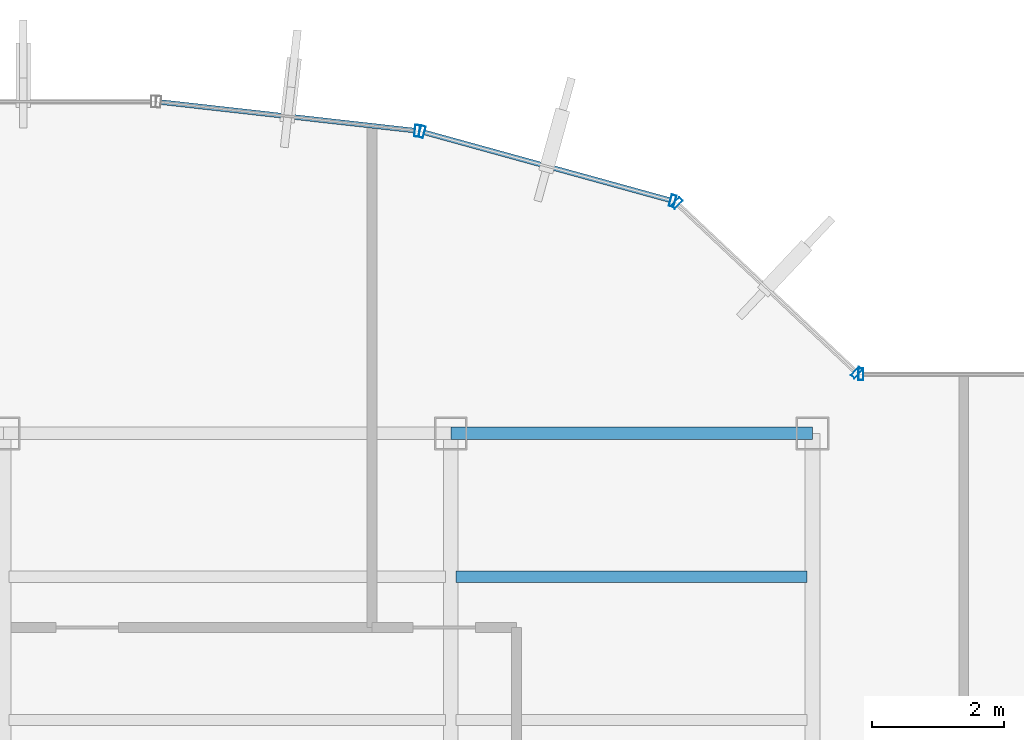
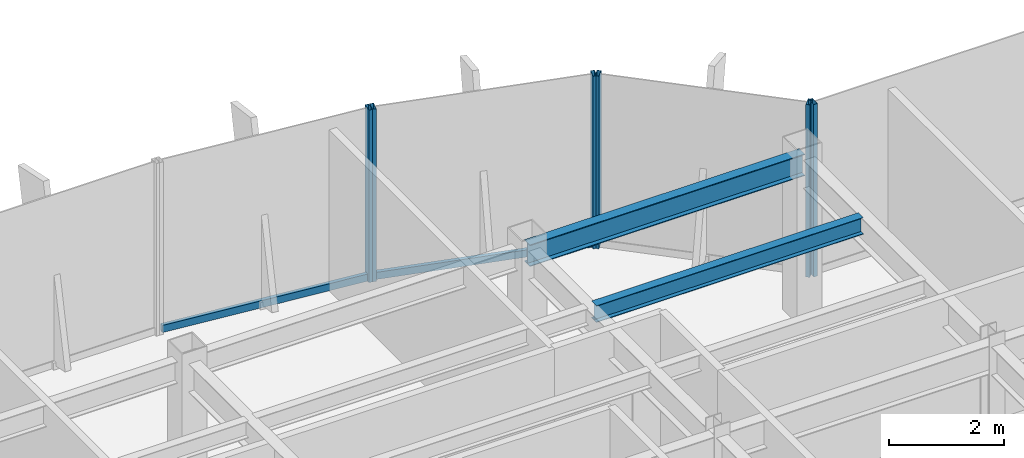
# One storey, part 14 of 22: 8 members, 2 beams, 4 elements without a shape of their own.
"""IFC4 building model written with IfcOpenShell, lengths in metres."""

import ifcopenshell
import ifcopenshell.guid

model = None  # the IFC model being written
_history = None  # IfcOwnerHistory: only IFC2X3 demands one
_inside = {}  # id of a spatial element -> (the spatial element, [elements in it])
_under = {}  # id of a project, library or spatial element -> (it, [spatial elements below it])
_declared = {}  # id of a project -> (the project, [libraries it declares])
_typed = {}  # id of a type object -> (the type object, [elements of that type])
_made_of = {}  # id of a material, layer set ... -> (it, [elements and type objects made of it])


def new_model(schema):
    """Start an empty IFC model of exactly this schema.

    Asked for "IFC4X3", IfcOpenShell would pick the latest addendum, in which some entities
    have other attributes; the version numbers below select the first issue.
    IFC2X3 requires an IfcOwnerHistory on every rooted entity: one is made here for all.
    """
    global model, _history
    if schema == "IFC4X3":
        model = ifcopenshell.file(schema_version=(4, 3, 0, 0))
    else:
        model = ifcopenshell.file(schema=schema)
    _inside.clear()
    _under.clear()
    _declared.clear()
    _typed.clear()
    _made_of.clear()
    _history = None
    if model.schema == "IFC2X3":
        org = make("IfcOrganization", Name="unknown")
        user = make(
            "IfcPersonAndOrganization",
            ThePerson=make("IfcPerson", FamilyName="unknown"),
            TheOrganization=org,
        )
        app = make(
            "IfcApplication",
            ApplicationDeveloper=org,
            Version="unknown",
            ApplicationFullName="unknown",
            ApplicationIdentifier="unknown",
        )
        _history = make(
            "IfcOwnerHistory",
            OwningUser=user,
            OwningApplication=app,
            ChangeAction="ADDED",
            CreationDate=0,
        )
    return model


def make(cls, **values):
    """One entity of the class cls with the attributes given. An attribute that is None is left unset."""
    return model.create_entity(
        cls, **{name: value for name, value in values.items() if value is not None}
    )


def rooted(cls, **values):
    """An entity with a GlobalId (a new one), such as an element, a storey or a relation."""
    return make(cls, GlobalId=ifcopenshell.guid.new(), OwnerHistory=_history, **values)


def si_unit(unit_type, name, prefix=None):
    """IfcSIUnit, for example si_unit("LENGTHUNIT", "METRE", prefix="MILLI")."""
    return make("IfcSIUnit", UnitType=unit_type, Prefix=prefix, Name=name)


def derived_unit(unit_type, elements):
    """IfcDerivedUnit: a product of units, each with its exponent."""
    return make(
        "IfcDerivedUnit",
        Elements=[
            make("IfcDerivedUnitElement", Unit=unit, Exponent=power)
            for unit, power in elements
        ],
        UnitType=unit_type,
    )


def assignment(units):
    """IfcUnitAssignment: the units of a project."""
    return None if units is None else make("IfcUnitAssignment", Units=units)


def point(xyz):
    """IfcCartesianPoint."""
    return None if xyz is None else make("IfcCartesianPoint", Coordinates=xyz)


def direction(xyz):
    """IfcDirection."""
    return None if xyz is None else make("IfcDirection", DirectionRatios=xyz)


def frame(location, z_axis=None, x_axis=None):
    """IfcAxis2Placement3D, a coordinate frame: its origin and axes. An axis left out is left unset."""
    return make(
        "IfcAxis2Placement3D",
        Location=point(location),
        Axis=direction(z_axis),
        RefDirection=direction(x_axis),
    )


def frame_2d(location, x_axis=None):
    """IfcAxis2Placement2D, a coordinate frame in the plane: its origin and x axis."""
    return make(
        "IfcAxis2Placement2D", Location=point(location), RefDirection=direction(x_axis)
    )


def origin():
    """The frame at (0, 0, 0) with its axes left unset."""
    return frame((0.0, 0.0, 0.0))


def origin_2d():
    """The frame at (0, 0) in the plane with its x axis left unset."""
    return frame_2d((0.0, 0.0))


def place(relative_to, where):
    """IfcLocalPlacement: puts the frame where relative to a parent placement (None: the world)."""
    return make(
        "IfcLocalPlacement", PlacementRelTo=relative_to, RelativePlacement=where
    )


def context(
    kind, dimensions, precision=None, world=None, true_north=None, identifier=None
):
    """IfcGeometricRepresentationContext, for example the 3D "Model" context."""
    return make(
        "IfcGeometricRepresentationContext",
        ContextIdentifier=identifier,
        ContextType=kind,
        CoordinateSpaceDimension=dimensions,
        Precision=precision,
        WorldCoordinateSystem=world,
        TrueNorth=true_north,
    )


def subcontext(parent, identifier, kind, view, scale=None):
    """IfcGeometricRepresentationSubContext, for example "Body" below "Model"."""
    return make(
        "IfcGeometricRepresentationSubContext",
        ContextIdentifier=identifier,
        ContextType=kind,
        ParentContext=parent,
        TargetScale=scale,
        TargetView=view,
    )


def project(units=None, contexts=None):
    """IfcProject with its units and contexts."""
    return rooted(
        "IfcProject",
        Name="project",
        RepresentationContexts=contexts,
        UnitsInContext=assignment(units),
    )


def spatial(cls, under=None, at=None, **own):
    """A site, building, storey or space (cls), placed at a placement, below another one or the project."""
    s = rooted(cls, ObjectPlacement=at, **own)
    if under is not None:
        _under.setdefault(under.id(), (under, []))[1].append(s)
    return s


def profile(cls, at=None, kind="AREA", **sizes):
    """A parametric profile (cls). Its sizes go by their IFC names, for example OverallWidth=200.0."""
    return make(cls, ProfileType=kind, Position=at, **sizes)


def hollow_rectangle(**sizes):
    """IfcRectangleHollowProfileDef."""
    return profile("IfcRectangleHollowProfileDef", **sizes)


def i_section(**sizes):
    """IfcIShapeProfileDef."""
    return profile("IfcIShapeProfileDef", **sizes)


def extrude(swept, where, along, depth):
    """IfcExtrudedAreaSolid: the profile swept, set in the frame where, extruded along a direction by depth."""
    return make(
        "IfcExtrudedAreaSolid",
        SweptArea=swept,
        Position=where,
        ExtrudedDirection=direction(along),
        Depth=depth,
    )


def shape(context_of_items, identifier, shape_type, items):
    """IfcShapeRepresentation: the items that make up one representation, for example the "Body"."""
    return make(
        "IfcShapeRepresentation",
        ContextOfItems=context_of_items,
        RepresentationIdentifier=identifier,
        RepresentationType=shape_type,
        Items=items,
    )


def source(mapping_origin, context_of_items, identifier, shape_type, items):
    """IfcRepresentationMap: a shape defined once, which mapped items show again and again."""
    return make(
        "IfcRepresentationMap",
        MappingOrigin=mapping_origin,
        MappedRepresentation=shape(context_of_items, identifier, shape_type, items),
    )


def transform(
    local_origin,
    x_axis=None,
    y_axis=None,
    z_axis=None,
    scale=None,
    scale2=None,
    scale3=None,
    uniform=True,
):
    """IfcCartesianTransformationOperator3D, or its non-uniform kind. x_axis, y_axis, z_axis: its Axis1, 2, 3."""
    if uniform:
        return make(
            "IfcCartesianTransformationOperator3D",
            Axis1=direction(x_axis),
            Axis2=direction(y_axis),
            LocalOrigin=point(local_origin),
            Scale=scale,
            Axis3=direction(z_axis),
        )
    return make(
        "IfcCartesianTransformationOperator3DnonUniform",
        Axis1=direction(x_axis),
        Axis2=direction(y_axis),
        LocalOrigin=point(local_origin),
        Scale=scale,
        Axis3=direction(z_axis),
        Scale2=scale2,
        Scale3=scale3,
    )


def mapped(mapping_source, mapping_target):
    """IfcMappedItem: shows the shape of a source again, moved by a transform."""
    return make(
        "IfcMappedItem", MappingSource=mapping_source, MappingTarget=mapping_target
    )


def material(Name=None, Category=None):
    """IfcMaterial."""
    return make("IfcMaterial", Name=Name, Category=Category)


def material_profile(
    of_material, cross_section, Name=None, Category=None, Priority=None
):
    """IfcMaterialProfile: a cross section and its material."""
    return make(
        "IfcMaterialProfile",
        Name=Name,
        Material=of_material,
        Profile=cross_section,
        Priority=Priority,
        Category=Category,
    )


def profile_set(profiles, Name=None, composite=None):
    """IfcMaterialProfileSet."""
    return make(
        "IfcMaterialProfileSet",
        Name=Name,
        MaterialProfiles=profiles,
        CompositeProfile=composite,
    )


def made_of(thing, what):
    """Note that an element or type object is made of a material, layer set ...; save() writes the relation."""
    if what is not None:
        _made_of.setdefault(what.id(), (what, []))[1].append(thing)
    return thing


def type_object(cls, material=None, **own):
    """A type object (cls), such as IfcWallType, which elements share."""
    return made_of(rooted(cls, **own), material)


def element(
    cls,
    number,
    at=None,
    inside=None,
    cuts=None,
    type_object=None,
    material=None,
    context=None,
    identifier="Body",
    shape_type=None,
    held_by="IfcProductDefinitionShape",
    body=None,
    shapes=None,
    **own,
):
    """One element of the class cls, such as IfcWall. Its Tag is "e" and its number.

    at: its placement. inside: the storey or other place that contains it. cuts: it is an
    opening in that element (IfcRelVoidsElement). A single representation is given by context,
    identifier, shape_type and body (its items); several are given by shapes. held_by: the class
    of the entity that holds the representations. save() writes the other relations.
    """
    e = rooted(cls, Tag="e%d" % number, ObjectPlacement=at, **own)
    if body is not None:
        shapes = [shape(context, identifier, shape_type, body)]
    if shapes is not None:
        e.Representation = make(held_by, Representations=shapes)
    if inside is not None:
        _inside.setdefault(inside.id(), (inside, []))[1].append(e)
    if cuts is not None:
        rooted(
            "IfcRelVoidsElement", RelatingBuildingElement=cuts, RelatedOpeningElement=e
        )
    if type_object is not None:
        _typed.setdefault(type_object.id(), (type_object, []))[1].append(e)
    return made_of(e, material)


def aggregate(whole, parts):
    """IfcRelAggregates: a whole, such as a stair, and the parts it consists of."""
    return rooted("IfcRelAggregates", RelatingObject=whole, RelatedObjects=parts)


def save(model, path):
    """Write the relations noted so far, then the file.

    IfcRelAggregates (storeys below a building ...), IfcRelContainedInSpatialStructure (elements
    in a storey), IfcRelDefinesByType, IfcRelAssociatesMaterial and IfcRelDeclares: one each for
    every whole, place, type object, material and project.
    """
    for whole, parts in _under.values():
        aggregate(whole, parts)
    for where, things in _inside.values():
        rooted(
            "IfcRelContainedInSpatialStructure",
            RelatedElements=things,
            RelatingStructure=where,
        )
    for kind, things in _typed.values():
        rooted("IfcRelDefinesByType", RelatedObjects=things, RelatingType=kind)
    for what, things in _made_of.values():
        rooted("IfcRelAssociatesMaterial", RelatedObjects=things, RelatingMaterial=what)
    for by, libraries in _declared.values():
        rooted("IfcRelDeclares", RelatingContext=by, RelatedDefinitions=libraries)
    model.write(path)


model = new_model("IFC4")

# Units and contexts
model_context = context("Model", 3, precision=1e-05, world=origin(), true_north=direction((0.0, 1.0)))
body_context = subcontext(model_context, "Body", "Model", "MODEL_VIEW")
ifc_project = project(units=[si_unit("LENGTHUNIT", "METRE"), si_unit("AREAUNIT", "SQUARE_METRE"), si_unit("VOLUMEUNIT", "CUBIC_METRE"), si_unit("PLANEANGLEUNIT", "RADIAN"), si_unit("MASSUNIT", "GRAM", prefix="KILO"), derived_unit("THERMALTRANSMITTANCEUNIT", [(si_unit("POWERUNIT", "WATT"), 1), (si_unit("LENGTHUNIT", "METRE"), -2), (si_unit("THERMODYNAMICTEMPERATUREUNIT", "KELVIN"), -1)])], contexts=[model_context])

# Site, building, storey
site_placement = place(None, origin())
site = spatial("IfcSite", under=ifc_project, at=site_placement, CompositionType="ELEMENT")
building_placement = place(site_placement, origin())
building = spatial("IfcBuilding", under=site, at=building_placement, Name="Skarnbrae Concourse Arena and Tower", CompositionType="ELEMENT")
storey_placement = place(building_placement, frame((0.0, 0.0, 225.10009765625)))
storey = spatial("IfcBuildingStorey", under=building, at=storey_placement, Name="L58", CompositionType="ELEMENT", Elevation=225.10009765625)

# Beams
ifc_material_1 = material(Name="Steel CSA G40.21 350W", Category="steel")
ifc_material_profile_1 = material_profile(ifc_material_1, i_section(OverallWidth=0.19091796875, OverallDepth=0.4599609375, WebThickness=0.010009765625, FlangeThickness=0.01611328125, at=origin_2d()), Name="W460X82")
ifc_profile_set_1 = profile_set([ifc_material_profile_1], Name="Steel CSA G40.21 350W")
beam_type_1 = type_object("IfcBeamType", Name="BM-SPAN-W460X82", PredefinedType="SPANDREL", material=ifc_profile_set_1)
shared_shape_1 = source(origin(), body_context, "Body", "SweptSolid", [
    extrude(i_section(OverallWidth=0.19091796875, OverallDepth=0.4599609375, WebThickness=0.010009765625, FlangeThickness=0.01611328125, at=origin_2d()), origin(), (0.0, 0.0, 1.0), 5.5),
])
beam_1_placement = place(storey_placement, frame((28.0, 34.39990234375, 3.169921875), z_axis=(1.0, 0.0, 0.0), x_axis=(0.0, 1.0, 0.0)))
element("IfcBeam", 1, at=beam_1_placement, inside=storey, type_object=beam_type_1, Name="L58 Perimeter spandrel Y34.4-4", PredefinedType="SPANDREL", context=body_context, shape_type="MappedRepresentation", body=[
    mapped(shared_shape_1, transform((0.0, 0.0, 0.0))),
])
ifc_material_profile_2 = material_profile(ifc_material_1, i_section(OverallWidth=0.1708984375, OverallDepth=0.35498046875, WebThickness=0.007080078125, FlangeThickness=0.01171875, at=origin_2d()), Name="W360X51")
ifc_profile_set_2 = profile_set([ifc_material_profile_2], Name="Steel CSA G40.21 350W")
beam_type_2 = type_object("IfcBeamType", Name="BM-JOIST-W360X51", PredefinedType="JOIST", material=ifc_profile_set_2)
shared_shape_2 = source(origin(), body_context, "Body", "SweptSolid", [
    extrude(i_section(OverallWidth=0.1708984375, OverallDepth=0.35498046875, WebThickness=0.007080078125, FlangeThickness=0.01171875, at=origin_2d()), origin(), (0.0, 0.0, 1.0), 5.33984375),
])
beam_2_placement = place(storey_placement, frame((28.080078125, 32.221923828125, 3.222412109375), z_axis=(1.0, 0.0, 0.0), x_axis=(0.0, 1.0, 0.0)))
element("IfcBeam", 2, at=beam_2_placement, inside=storey, type_object=beam_type_2, Name="L58 Secondary floor joist 3.2.4", PredefinedType="JOIST", context=body_context, shape_type="MappedRepresentation", body=[
    mapped(shared_shape_2, transform((0.0, 0.0, 0.0))),
])

# Curtain wall, member
ifc_material_2 = material(Name="Bronze anodised aluminium 6063-T6", Category="aluminium")
curtain_wall_type = type_object("IfcCurtainWallType", Name="CW-SYS-05-HIGHZONE", PredefinedType="USERDEFINED", material=ifc_material_2)
curtain_wall_1_placement = place(storey_placement, origin())
curtain_wall_1 = element("IfcCurtainWall", 3, at=curtain_wall_1_placement, inside=storey, type_object=curtain_wall_type, Name="L58 Unitised curtain wall CW-L58-E07", ObjectType="UNITISED CURTAIN WALL", PredefinedType="USERDEFINED")
ifc_material_profile_3 = material_profile(ifc_material_2, hollow_rectangle(XDim=0.074951171875, YDim=0.179931640625, WallThickness=0.00390625, at=origin_2d()), Name="ALU-MULL-75X180")
ifc_profile_set_3 = profile_set([ifc_material_profile_3], Name="Bronze anodised aluminium 6063-T6")
member_type_1 = type_object("IfcMemberType", Name="CWM-CW-05", PredefinedType="MULLION", material=ifc_profile_set_3)
shared_shape_3 = source(origin(), body_context, "Body", "SweptSolid", [
    extrude(hollow_rectangle(XDim=0.074951171875, YDim=0.179931640625, WallThickness=0.00390625, at=origin_2d()), origin(), (0.0, 0.0, 1.0), 3.64990234375),
])
member_1_placement = place(storey_placement, frame((34.237548828125, 35.300048828125, 0.0), z_axis=(0.0, 0.0, 1.0), x_axis=(-1.0, 0.0, 0.0)))
member_1 = element("IfcMember", 4, at=member_1_placement, type_object=member_type_1, Name="CW-L58-E07 Mullion 2", PredefinedType="MULLION", context=body_context, shape_type="MappedRepresentation", body=[
    mapped(shared_shape_3, transform((0.0, 0.0, 0.0))),
])
aggregate(curtain_wall_1, [member_1])

# Curtain wall, members
curtain_wall_2_placement = place(storey_placement, origin())
curtain_wall_2 = element("IfcCurtainWall", 5, at=curtain_wall_2_placement, inside=storey, type_object=curtain_wall_type, Name="L58 Unitised curtain wall CW-L58-E08", ObjectType="UNITISED CURTAIN WALL", PredefinedType="USERDEFINED")
member_2_placement = place(storey_placement, frame((34.172607421875, 35.32568359375, 0.0), z_axis=(0.0, 0.0, 1.0), x_axis=(-0.728130555214, 0.685438468838, 0.0)))
member_2 = element("IfcMember", 6, at=member_2_placement, type_object=member_type_1, Name="CW-L58-E08 Mullion 1", PredefinedType="MULLION", context=body_context, shape_type="MappedRepresentation", body=[
    mapped(shared_shape_3, transform((0.0, 0.0, 0.0))),
])
member_3_placement = place(storey_placement, frame((31.43701171875, 37.90087890625, 0.0), z_axis=(0.0, 0.0, 1.0), x_axis=(-0.728130555214, 0.685438468838, 0.0)))
member_3 = element("IfcMember", 7, at=member_3_placement, type_object=member_type_1, Name="CW-L58-E08 Mullion 2", PredefinedType="MULLION", context=body_context, shape_type="MappedRepresentation", body=[
    mapped(shared_shape_3, transform((0.0, 0.0, 0.0))),
])
aggregate(curtain_wall_2, [member_2, member_3])

curtain_wall_3_placement = place(storey_placement, origin())
curtain_wall_3 = element("IfcCurtainWall", 8, at=curtain_wall_3_placement, inside=storey, type_object=curtain_wall_type, Name="L58 Unitised curtain wall CW-L58-E09", ObjectType="UNITISED CURTAIN WALL", PredefinedType="USERDEFINED")
member_4_placement = place(storey_placement, frame((31.37353515625, 37.936767578125, 0.0), z_axis=(0.0, 0.0, 1.0), x_axis=(-0.964057388766, 0.265694093207, 0.0)))
member_4 = element("IfcMember", 9, at=member_4_placement, type_object=member_type_1, Name="CW-L58-E09 Mullion 1", PredefinedType="MULLION", context=body_context, shape_type="MappedRepresentation", body=[
    mapped(shared_shape_3, transform((0.0, 0.0, 0.0))),
])
member_5_placement = place(storey_placement, frame((27.56201171875, 38.987060546875, 0.0), z_axis=(0.0, 0.0, 1.0), x_axis=(-0.964057388766, 0.265694093207, 0.0)))
member_5 = element("IfcMember", 10, at=member_5_placement, type_object=member_type_1, Name="CW-L58-E09 Mullion 2", PredefinedType="MULLION", context=body_context, shape_type="MappedRepresentation", body=[
    mapped(shared_shape_3, transform((0.0, 0.0, 0.0))),
])

# Curtain wall, member
curtain_wall_4_placement = place(storey_placement, origin())
curtain_wall_4 = element("IfcCurtainWall", 11, at=curtain_wall_4_placement, inside=storey, type_object=curtain_wall_type, Name="L58 Unitised curtain wall CW-L58-E10", ObjectType="UNITISED CURTAIN WALL", PredefinedType="USERDEFINED")
member_6_placement = place(storey_placement, frame((27.488525390625, 39.001220703125, 0.0), z_axis=(0.0, 0.0, 1.0), x_axis=(-0.993768891873, 0.111460259941, 0.0)))
member_6 = element("IfcMember", 12, at=member_6_placement, type_object=member_type_1, Name="CW-L58-E10 Mullion 1", PredefinedType="MULLION", context=body_context, shape_type="MappedRepresentation", body=[
    mapped(shared_shape_3, transform((0.0, 0.0, 0.0))),
])

# Member
ifc_material_profile_4 = material_profile(ifc_material_2, hollow_rectangle(XDim=0.074951171875, YDim=0.14990234375, WallThickness=0.00390625, at=origin_2d()), Name="ALU-TRAN-75X150")
ifc_profile_set_4 = profile_set([ifc_material_profile_4], Name="Bronze anodised aluminium 6063-T6")
member_type_2 = type_object("IfcMemberType", Name="CWT-CW-05", PredefinedType="USERDEFINED", material=ifc_profile_set_4)
shared_shape_4 = source(origin(), body_context, "Body", "SweptSolid", [
    extrude(hollow_rectangle(XDim=0.074951171875, YDim=0.14990234375, WallThickness=0.00390625, at=origin_2d()), origin(), (0.0, 0.0, 1.0), 3.878662109375),
])
member_7_placement = place(storey_placement, frame((31.33740234375, 37.946533203125, 0.074951171875), z_axis=(-0.964042677713, 0.265747465742, 0.0), x_axis=(-0.265747465742, -0.964042677713, 0.0)))
member_7 = element("IfcMember", 13, at=member_7_placement, type_object=member_type_2, Name="CW-L58-E09 Transom 1", ObjectType="TRANSOM", PredefinedType="USERDEFINED", context=body_context, shape_type="MappedRepresentation", body=[
    mapped(shared_shape_4, transform((0.0, 0.0, 0.0))),
])

aggregate(curtain_wall_3, [member_4, member_5, member_7])

shared_shape_5 = source(origin(), body_context, "Body", "SweptSolid", [
    extrude(hollow_rectangle(XDim=0.074951171875, YDim=0.14990234375, WallThickness=0.00390625, at=origin_2d()), origin(), (0.0, 0.0, 1.0), 3.8837890625),
])
member_8_placement = place(storey_placement, frame((27.451416015625, 39.005615234375, 0.074951171875), z_axis=(-0.993776714154, 0.111390495128, 0.0), x_axis=(-0.111390495128, -0.993776714154, 0.0)))
member_8 = element("IfcMember", 14, at=member_8_placement, type_object=member_type_2, Name="CW-L58-E10 Transom 1", ObjectType="TRANSOM", PredefinedType="USERDEFINED", context=body_context, shape_type="MappedRepresentation", body=[
    mapped(shared_shape_5, transform((0.0, 0.0, 0.0))),
])

aggregate(curtain_wall_4, [member_6, member_8])

save(model, "model.ifc")
